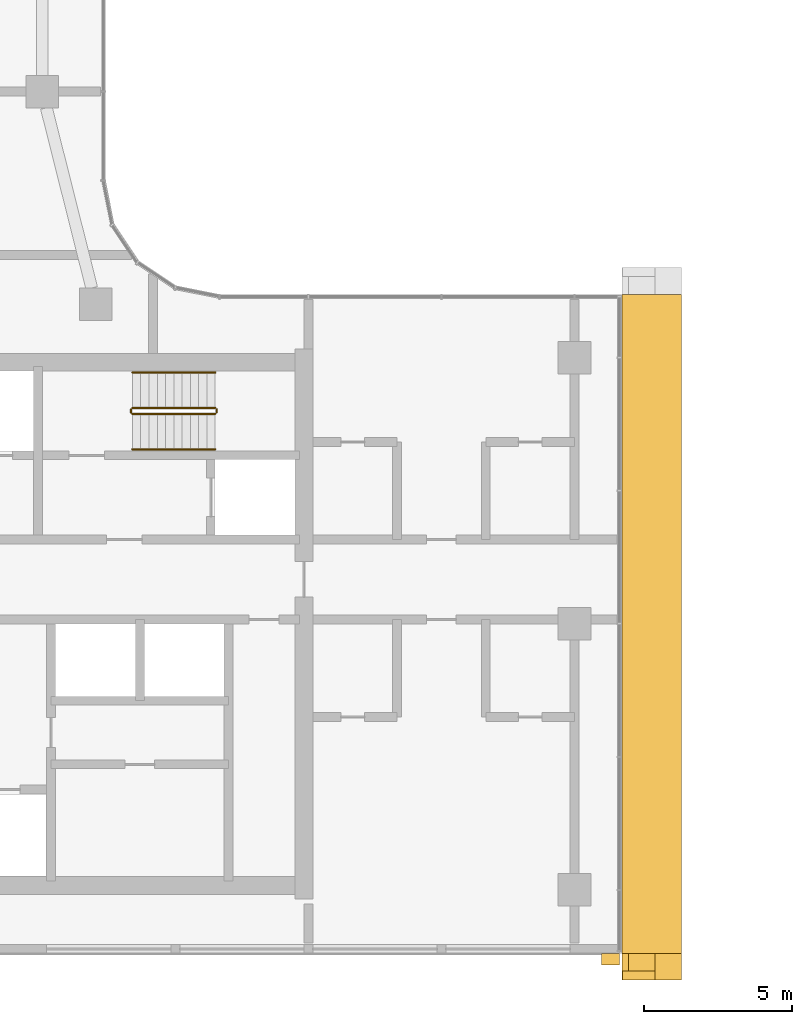
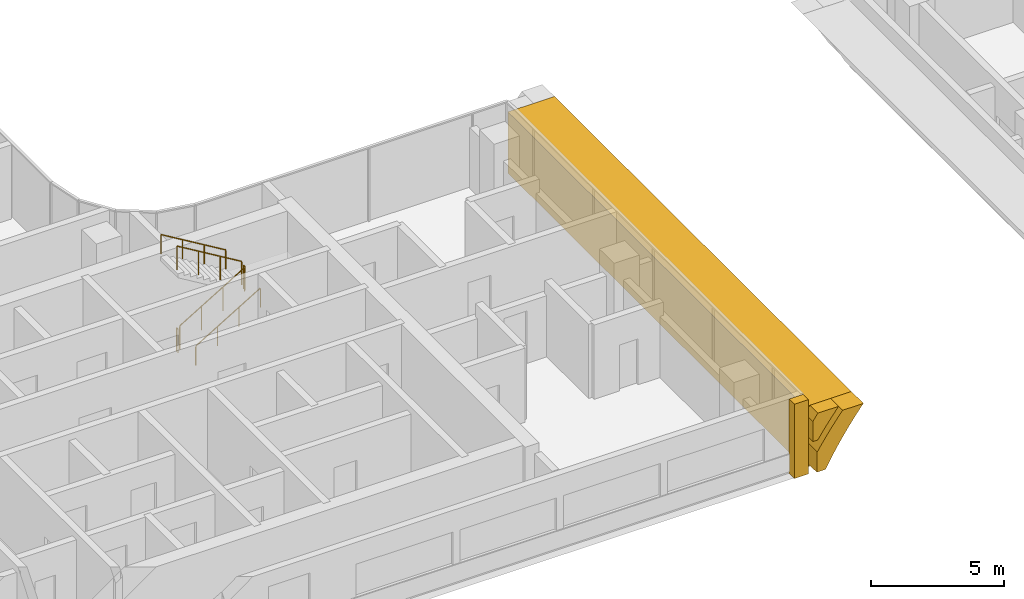
# One storey, part 20 of 23: 6 railings, 4 coverings.
"""IFC4 building model written with IfcOpenShell, lengths in metres."""

from ifc_helpers import new_model, si_unit, direction, frame, origin, origin_2d, place, context, subcontext, project, spatial, polyline, rectangle, circle, outline, extrude, material, layer, layer_set, type_object, element, save


model = new_model("IFC4")

# Units and contexts
model_context = context("Model", 3, precision=1e-05, world=origin(), true_north=direction((0.0, 1.0)))
body_context = subcontext(model_context, "Body", "Model", "MODEL_VIEW")
ifc_project = project(units=[si_unit("LENGTHUNIT", "METRE"), si_unit("AREAUNIT", "SQUARE_METRE"), si_unit("VOLUMEUNIT", "CUBIC_METRE"), si_unit("PLANEANGLEUNIT", "RADIAN"), si_unit("MASSUNIT", "GRAM", prefix="KILO")], contexts=[model_context])

# Site, building, storey
site_placement = place(None, origin())
site = spatial("IfcSite", under=ifc_project, at=site_placement, CompositionType="ELEMENT")
building_placement = place(site_placement, origin())
building = spatial("IfcBuilding", under=site, at=building_placement, Name="Ogive Portal Towers", CompositionType="ELEMENT")
storey_placement = place(building_placement, frame((0.0, 0.0, 175.5)))
storey = spatial("IfcBuildingStorey", under=building, at=storey_placement, Name="L43", CompositionType="ELEMENT", Elevation=175.5)

# Railings
ifc_material_1 = material(Name="Stainless steel balustrade", Category="steel")
railing_type_1 = type_object("IfcRailingType", Name="INT-GUARD", PredefinedType="GUARDRAIL", material=ifc_material_1)
railing_1_placement = place(storey_placement, frame((52.550048828125, 37.60009765625, 0.168212890625)))
element("IfcRailing", 1, at=railing_1_placement, inside=storey, type_object=railing_type_1, Name="L43 ST-A2 stair guard 1", PredefinedType="GUARDRAIL", context=body_context, shape_type="SweptSolid", body=[
    extrude(circle(Radius=0.02392578125, at=origin_2d()), frame((0.0, 0.0, 1.076171875), z_axis=(0.857242210791, 0.0, 0.514913383045), x_axis=(0.0, 1.0, 0.0)), (0.0, 0.0, 1.0), 3.266357421875),
    extrude(circle(Radius=0.02099609375, at=origin_2d()), origin(), (0.0, 0.0, 1.0), 1.052001953125),
    extrude(circle(Radius=0.02099609375, at=origin_2d()), frame((0.933349609375, 0.0, 0.560546875)), (0.0, 0.0, 1.0), 1.052001953125),
    extrude(circle(Radius=0.02099609375, at=origin_2d()), frame((1.86669921875, 0.0, 1.121337890625)), (0.0, 0.0, 1.0), 1.052001953125),
    extrude(circle(Radius=0.02099609375, at=origin_2d()), frame((2.800048828125, 0.0, 1.681884765625)), (0.0, 0.0, 1.0), 1.052001953125),
])
railing_2_placement = place(storey_placement, frame((55.39990234375, 37.64990234375, 1.85009765625)))
element("IfcRailing", 2, at=railing_2_placement, inside=storey, type_object=railing_type_1, Name="L43 ST-A2 stair guard 2", PredefinedType="GUARDRAIL", context=body_context, shape_type="SweptSolid", body=[
    extrude(circle(Radius=0.02392578125, at=origin_2d()), frame((0.0, 0.0, 1.076171875), z_axis=(0.0, 1.0, 0.0), x_axis=(-1.0, 0.0, 0.0)), (0.0, 0.0, 1.0), 0.10009765625),
    extrude(circle(Radius=0.02099609375, at=origin_2d()), origin(), (0.0, 0.0, 1.0), 1.052001953125),
    extrude(circle(Radius=0.02099609375, at=origin_2d()), frame((0.0, 0.10009765625, 0.0)), (0.0, 0.0, 1.0), 1.052001953125),
])
railing_3_placement = place(storey_placement, frame((55.35009765625, 37.800048828125, 2.01806640625)))
element("IfcRailing", 3, at=railing_3_placement, inside=storey, type_object=railing_type_1, Name="L43 ST-A2 stair guard 3", PredefinedType="GUARDRAIL", context=body_context, shape_type="SweptSolid", body=[
    extrude(circle(Radius=0.02392578125, at=origin_2d()), frame((0.0, 0.0, 1.076171875), z_axis=(-0.857242210791, 0.0, 0.514913383045), x_axis=(0.0, -1.0, 0.0)), (0.0, 0.0, 1.0), 3.266357421875),
    extrude(circle(Radius=0.02099609375, at=origin_2d()), origin(), (0.0, 0.0, 1.0), 1.052001953125),
    extrude(circle(Radius=0.02099609375, at=origin_2d()), frame((-0.933349609375, 0.0, 0.560546875)), (0.0, 0.0, 1.0), 1.052001953125),
    extrude(circle(Radius=0.02099609375, at=origin_2d()), frame((-1.86669921875, 0.0, 1.121337890625)), (0.0, 0.0, 1.0), 1.052001953125),
    extrude(circle(Radius=0.02099609375, at=origin_2d()), frame((-2.800048828125, 0.0, 1.681884765625)), (0.0, 0.0, 1.0), 1.052001953125),
])
railing_4_placement = place(storey_placement, frame((52.5, 37.64990234375, 0.0)))
element("IfcRailing", 4, at=railing_4_placement, inside=storey, type_object=railing_type_1, Name="L43 ST-A2 stair guard 4", PredefinedType="GUARDRAIL", context=body_context, shape_type="SweptSolid", body=[
    extrude(circle(Radius=0.02392578125, at=origin_2d()), frame((0.0, 0.0, 1.076171875), z_axis=(0.0, 1.0, 0.0), x_axis=(-1.0, 0.0, 0.0)), (0.0, 0.0, 1.0), 0.10009765625),
    extrude(circle(Radius=0.02099609375, at=origin_2d()), origin(), (0.0, 0.0, 1.0), 1.052001953125),
    extrude(circle(Radius=0.02099609375, at=origin_2d()), frame((0.0, 0.10009765625, 0.0)), (0.0, 0.0, 1.0), 1.052001953125),
])
ifc_material_2 = material(Name="Stainless steel handrail", Category="steel")
railing_type_2 = type_object("IfcRailingType", Name="INT-HANDRAIL", PredefinedType="HANDRAIL", material=ifc_material_2)
railing_5_placement = place(storey_placement, frame((52.550048828125, 36.39990234375, 0.168212890625)))
element("IfcRailing", 5, at=railing_5_placement, inside=storey, type_object=railing_type_2, Name="L43 ST-A2 stair handrail 1", PredefinedType="HANDRAIL", context=body_context, shape_type="SweptSolid", body=[
    extrude(circle(Radius=0.02392578125, at=origin_2d()), frame((0.0, 0.0, 0.8759765625), z_axis=(0.857242210791, 0.0, 0.514913383045), x_axis=(0.0, 1.0, 0.0)), (0.0, 0.0, 1.0), 3.266357421875),
    extrude(circle(Radius=0.02099609375, at=origin_2d()), origin(), (0.0, 0.0, 1.0), 0.851806640625),
    extrude(circle(Radius=0.02099609375, at=origin_2d()), frame((0.933349609375, 0.0, 0.560546875)), (0.0, 0.0, 1.0), 0.851806640625),
    extrude(circle(Radius=0.02099609375, at=origin_2d()), frame((1.86669921875, 0.0, 1.121337890625)), (0.0, 0.0, 1.0), 0.851806640625),
    extrude(circle(Radius=0.02099609375, at=origin_2d()), frame((2.800048828125, 0.0, 1.681884765625)), (0.0, 0.0, 1.0), 0.851806640625),
])
railing_6_placement = place(storey_placement, frame((55.35009765625, 39.0, 2.01806640625)))
element("IfcRailing", 6, at=railing_6_placement, inside=storey, type_object=railing_type_2, Name="L43 ST-A2 stair handrail 2", PredefinedType="HANDRAIL", context=body_context, shape_type="SweptSolid", body=[
    extrude(circle(Radius=0.02392578125, at=origin_2d()), frame((0.0, 0.0, 0.8759765625), z_axis=(-0.857242210791, 0.0, 0.514913383045), x_axis=(0.0, -1.0, 0.0)), (0.0, 0.0, 1.0), 3.266357421875),
    extrude(circle(Radius=0.02099609375, at=origin_2d()), origin(), (0.0, 0.0, 1.0), 0.851806640625),
    extrude(circle(Radius=0.02099609375, at=origin_2d()), frame((-0.933349609375, 0.0, 0.560546875)), (0.0, 0.0, 1.0), 0.851806640625),
    extrude(circle(Radius=0.02099609375, at=origin_2d()), frame((-1.86669921875, 0.0, 1.121337890625)), (0.0, 0.0, 1.0), 0.851806640625),
    extrude(circle(Radius=0.02099609375, at=origin_2d()), frame((-2.800048828125, 0.0, 1.681884765625)), (0.0, 0.0, 1.0), 0.851806640625),
])

# Coverings
ifc_material_3 = material(Name="Limestone cladding on lightweight block wall", Category="masonry")
ifc_layer_1 = layer(ifc_material_3, 0.300048828125)
ifc_layer_set_1 = layer_set([ifc_layer_1], Name="OGIVE SOFFIT STONE")
covering_type_1 = type_object("IfcCoveringType", Name="OGIVE SOFFIT STONE", PredefinedType="CLADDING", material=ifc_layer_set_1)
covering_1_placement = place(storey_placement, frame((69.10009765625, 19.35498046875, 0.0), z_axis=(0.0, -1.0, 0.0), x_axis=(1.0, 0.0, 0.0)))
element("IfcCovering", 7, at=covering_1_placement, inside=storey, type_object=covering_type_1, Name="OGIVE SOFFIT W L43", PredefinedType="CLADDING", context=body_context, shape_type="SweptSolid", body=[
    extrude(outline(polyline([(0.0, 0.0), (0.191162109375, 0.0), (0.376708984375, 0.35009765625), (0.5732421875, 0.699951171875), (0.781494140625, 1.050048828125), (1.002197265625, 1.39990234375), (1.235595703125, 1.75), (1.482421875, 2.10009765625), (1.743408203125, 2.449951171875), (2.019775390625, 2.800048828125), (0.0, 2.800048828125), (0.0, 0.0)])), origin(), (0.0, 0.0, -1.0), 22.2900390625),
])
ifc_layer_2 = layer(ifc_material_3, 0.60009765625)
ifc_layer_set_2 = layer_set([ifc_layer_2], Name="PORTAL ARCHIVOLT STONE")
covering_type_2 = type_object("IfcCoveringType", Name="PORTAL ARCHIVOLT STONE", PredefinedType="CLADDING", material=ifc_layer_set_2)
covering_2_placement = place(storey_placement, frame((69.476806640625, 18.455078125, 0.35009765625), z_axis=(0.0, -1.0, 0.0), x_axis=(0.488476231878, 0.0, 0.872577200533)))
element("IfcCovering", 8, at=covering_2_placement, inside=storey, type_object=covering_type_2, Name="PORTAL ARCHIVOLT W L43", PredefinedType="CLADDING", context=body_context, shape_type="SweptSolid", body=[
    extrude(outline(polyline([(0.0, 0.0), (0.3508598936149724, 0.0), (0.7061322922542294, -0.007882167094662107), (1.06603022746087, -0.02352724439143805), (1.4304854068263406, -0.047812840304721105), (1.7998301187862886, -0.08083272948506237), (2.174635165561458, -0.12310674966921009), (2.554687515608749, -0.17475415774971292), (2.9403704218478044, -0.23695936833461362), (2.500789515915028, 0.5482748995282088), (2.1151066096759727, 0.6104801101131097), (1.7349350027361334, 0.6623405497367113), (1.3602492128535124, 0.7044015383777602), (0.9909045008935642, 0.7374214275581015), (0.6264493215280936, 0.7617070234713845), (0.3502697248903106, 0.6278039575126799), (0.08312816984419577, 0.4782558142571993), (-0.1840133852019191, 0.3287076710017187), (0.0, 0.0)])), origin(), (0.0, 0.0, -1.0), 0.89990234375),
])
covering_3_placement = place(storey_placement, frame((69.3173828125, 18.7548828125, 1.574951171875), z_axis=(0.0, -1.0, 0.0), x_axis=(0.564235385534, 0.0, 0.825613971364)))
element("IfcCovering", 9, at=covering_3_placement, inside=storey, type_object=covering_type_2, Name="PORTAL ARCHIVOLT W L43", PredefinedType="CLADDING", context=body_context, shape_type="SweptSolid", body=[
    extrude(outline(polyline([(0.0, 0.0), (0.37081778454418696, 0.0), (0.7477605045252168, -0.008529581392364927), (1.1310398523711258, -0.026331194689699022), (1.5207297677302791, -0.053945724493628444), (1.0128352690822477, 0.6892277892807371), (0.6360941150121954, 0.6978951234527733), (0.3831288967353229, 0.5250153849653094), (0.13016367845845037, 0.35213564647784557), (-0.12259997390744451, 0.17939366077005298), (0.0, 0.0)])), origin(), (0.0, 0.0, -1.0), 0.60009765625),
])
ifc_layer_3 = layer(ifc_material_3, 0.39990234375)
ifc_layer_set_3 = layer_set([ifc_layer_3], Name="PORTAL BUTTRESS STONE")
covering_type_3 = type_object("IfcCoveringType", Name="PORTAL BUTTRESS STONE", PredefinedType="CLADDING", material=ifc_layer_set_3)
covering_4_placement = place(storey_placement, frame((68.719970703125, 19.155029296875, 0.0), z_axis=(0.0, 0.0, 1.0), x_axis=(1.0, 0.0, 0.0)))
element("IfcCovering", 10, at=covering_4_placement, inside=storey, type_object=covering_type_3, Name="PORTAL BUTTRESS", PredefinedType="CLADDING", context=body_context, shape_type="SweptSolid", body=[
    extrude(rectangle(XDim=0.60009765625, YDim=0.39990234375, at=origin_2d()), origin(), (0.0, 0.0, 1.0), 3.39990234375),
])

save(model, "model.ifc")
